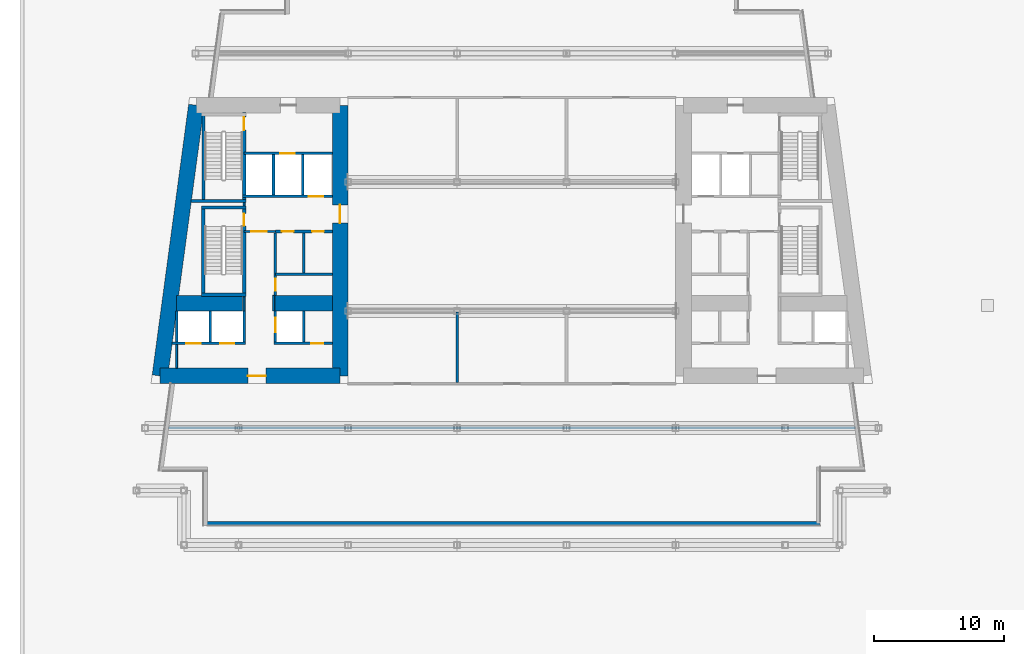
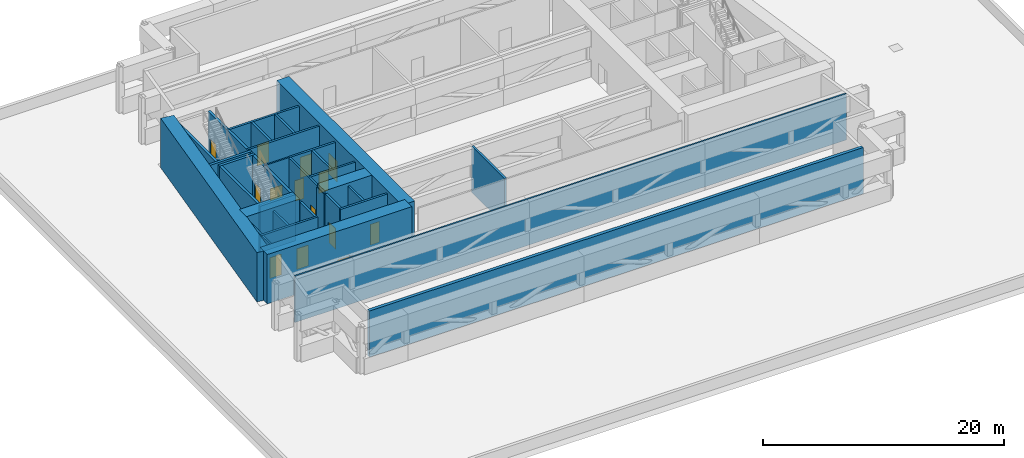
# One storey, part 14 of 26: 35 walls, 14 doors, 14 openings.
"""IFC4 building model written with IfcOpenShell, lengths in metres."""

from ifc_helpers import new_model, si_unit, direction, frame, frame_2d, origin, place, context, subcontext, project, spatial, rectangle, extrude, material, layer, layer_set, type_object, element, fill, save


model = new_model("IFC4")

# Units and contexts
model_context = context("Model", 3, precision=1e-05, world=origin(), true_north=direction((0.0, 1.0)))
body_context = subcontext(model_context, "Body", "Model", "MODEL_VIEW")
ifc_project = project(units=[si_unit("LENGTHUNIT", "METRE"), si_unit("AREAUNIT", "SQUARE_METRE"), si_unit("VOLUMEUNIT", "CUBIC_METRE"), si_unit("PLANEANGLEUNIT", "RADIAN"), si_unit("MASSUNIT", "GRAM", prefix="KILO")], contexts=[model_context])

# Site, building, storey
site_placement = place(None, origin())
site = spatial("IfcSite", under=ifc_project, at=site_placement, CompositionType="ELEMENT")
building_placement = place(site_placement, origin())
building = spatial("IfcBuilding", under=site, at=building_placement, Name="Candeia Pilgrim Tower and Theatre", CompositionType="ELEMENT")
storey_placement = place(building_placement, frame((0.0, 0.0, 34.0)))
storey = spatial("IfcBuildingStorey", under=building, at=storey_placement, Name="L05", CompositionType="ELEMENT", Elevation=34.0)

# Wall, opening, door
ifc_material_1 = material(Name="Concrete C80/95", Category="concrete")
ifc_layer_1 = layer(ifc_material_1, 1.199951171875)
ifc_layer_set_1 = layer_set([ifc_layer_1], Name="Core wall 1200 C80/95")
wall_type_1 = type_object("IfcWallType", Name="Core wall 1200 C80/95", PredefinedType="SHEAR", material=ifc_layer_set_1)
wall_1_placement = place(storey_placement, frame((100.199951171875, 131.800048828125, 0.0), z_axis=(0.0, 0.0, 1.0), x_axis=(0.0, -1.0, 0.0)))
wall_1 = element("IfcWall", 1, at=wall_1_placement, inside=storey, type_object=wall_type_1, Name="Core wall W2", PredefinedType="SHEAR", context=body_context, shape_type="SweptSolid", body=[
    extrude(rectangle(XDim=20.800048828125, YDim=1.199951171875, at=frame_2d((10.39990234375, 0.0))), origin(), (0.0, 0.0, 1.0), 5.0),
])
opening_1_placement = place(wall_1_placement, frame((7.64990234375, 0.0, 0.0)))
opening_1 = element("IfcOpeningElement", 2, at=opening_1_placement, cuts=wall_1, Name="Opening L05-D025", PredefinedType="OPENING", context=body_context, shape_type="SweptSolid", body=[
    extrude(rectangle(XDim=1.39990234375, YDim=2.10009765625, at=frame_2d((0.699951171875, 1.050048828125))), frame((0.0, 0.60986328125, 0.0), z_axis=(0.0, -1.0, 0.0), x_axis=(1.0, 0.0, 0.0)), (0.0, 0.0, 1.0), 1.219970703125),
])
ifc_material_2 = material(Name="Steel fire door set", Category="steel")
door_type_1 = type_object("IfcDoorType", Name="D-1400-FD60", OperationType="NOTDEFINED", PredefinedType="DOOR", material=ifc_material_2)
door_1_placement = place(opening_1_placement, origin())
door_1 = element("IfcDoor", 3, at=door_1_placement, inside=storey, type_object=door_type_1, Name="Door L05-D025", OperationType="SINGLE_SWING_RIGHT", OverallHeight=2.10009765625, OverallWidth=1.39990234375, PredefinedType="DOOR", context=body_context, shape_type="SweptSolid", body=[
    extrude(rectangle(XDim=1.39990234375, YDim=2.10009765625, at=frame_2d((0.699951171875, 1.050048828125))), frame((0.0, 0.02490234375, 0.0), z_axis=(0.0, -1.0, 0.0), x_axis=(1.0, 0.0, 0.0)), (0.0, 0.0, 1.0), 0.050048828125),
])
fill(opening_1, door_1)

wall_2_placement = place(storey_placement, frame((100.199951171875, 111.0, 0.0), z_axis=(0.0, 0.0, 1.0), x_axis=(-1.0, 0.0, 0.0)))
wall_2 = element("IfcWall", 4, at=wall_2_placement, inside=storey, type_object=wall_type_1, Name="Core wall W3", PredefinedType="SHEAR", context=body_context, shape_type="SweptSolid", body=[
    extrude(rectangle(XDim=13.844482421875, YDim=1.199951171875, at=frame_2d((6.92236328125, 0.0))), origin(), (0.0, 0.0, 1.0), 5.0),
])
opening_2_placement = place(wall_2_placement, frame((5.693603515625, 0.0, 0.0)))
opening_2 = element("IfcOpeningElement", 5, at=opening_2_placement, cuts=wall_2, Name="Opening L05-D023", PredefinedType="OPENING", context=body_context, shape_type="SweptSolid", body=[
    extrude(rectangle(XDim=1.39990234375, YDim=2.10009765625, at=frame_2d((0.699951171875, 1.050048828125))), frame((0.0, 0.60986328125, 0.0), z_axis=(0.0, -1.0, 0.0), x_axis=(1.0, 0.0, 0.0)), (0.0, 0.0, 1.0), 1.219970703125),
])
door_2_placement = place(opening_2_placement, origin())
door_2 = element("IfcDoor", 6, at=door_2_placement, inside=storey, type_object=door_type_1, Name="Door L05-D023", OperationType="SINGLE_SWING_RIGHT", OverallHeight=2.10009765625, OverallWidth=1.39990234375, PredefinedType="DOOR", context=body_context, shape_type="SweptSolid", body=[
    extrude(rectangle(XDim=1.39990234375, YDim=2.10009765625, at=frame_2d((0.699951171875, 1.050048828125))), frame((0.0, 0.02490234375, 0.0), z_axis=(0.0, -1.0, 0.0), x_axis=(1.0, 0.0, 0.0)), (0.0, 0.0, 1.0), 0.050048828125),
])
fill(opening_2, door_2)

# Walls
wall_3_placement = place(storey_placement, frame((86.35546875, 111.0, 0.0), z_axis=(0.0, 0.0, 1.0), x_axis=(0.133413989637, 0.99106039542, 0.0)))
element("IfcWall", 7, at=wall_3_placement, inside=storey, type_object=wall_type_1, Name="Core wall W4", PredefinedType="SHEAR", context=body_context, shape_type="SweptSolid", body=[
    extrude(rectangle(XDim=20.987548828125, YDim=1.199951171875, at=frame_2d((10.49365234375, 0.0))), origin(), (0.0, 0.0, 1.0), 5.0),
])
wall_4_placement = place(storey_placement, frame((87.623046875, 116.60009765625, 0.0), z_axis=(0.0, 0.0, 1.0), x_axis=(1.0, 0.0, 0.0)))
element("IfcWall", 8, at=wall_4_placement, inside=storey, type_object=wall_type_1, Name="Core wall W5", PredefinedType="SHEAR", context=body_context, shape_type="SweptSolid", body=[
    extrude(rectangle(XDim=5.076904296875, YDim=1.199951171875, at=frame_2d((2.53857421875, 0.0))), origin(), (0.0, 0.0, 1.0), 5.0),
])
wall_5_placement = place(storey_placement, frame((95.10009765625, 116.60009765625, 0.0), z_axis=(0.0, 0.0, 1.0), x_axis=(1.0, 0.0, 0.0)))
element("IfcWall", 9, at=wall_5_placement, inside=storey, type_object=wall_type_1, Name="Core wall W6", PredefinedType="SHEAR", context=body_context, shape_type="SweptSolid", body=[
    extrude(rectangle(XDim=4.5, YDim=1.199951171875, at=frame_2d((2.25, 0.0))), origin(), (0.0, 0.0, 1.0), 5.0),
])
ifc_material_3 = material(Name="Ceramic block masonry", Category="masonry")
ifc_layer_2 = layer(ifc_material_3, 0.300048828125)
ifc_layer_set_2 = layer_set([ifc_layer_2], Name="EW1 glazing-line wall 300")
wall_type_2 = type_object("IfcWallType", Name="EW1 glazing-line wall 300", PredefinedType="SOLIDWALL", material=ifc_layer_set_2)
wall_6_placement = place(storey_placement, frame((89.85009765625, 99.64990234375, 0.0), z_axis=(0.0, 0.0, 1.0), x_axis=(1.0, 0.0, 0.0)))
element("IfcWall", 10, at=wall_6_placement, inside=storey, type_object=wall_type_2, Name="External wall L05-0.0", PredefinedType="SOLIDWALL", context=body_context, shape_type="SweptSolid", body=[
    extrude(rectangle(XDim=47.25, YDim=0.300048828125, at=frame_2d((23.625, 0.0))), origin(), (0.0, 0.0, 1.0), 4.679931640625),
])

# Wall, opening, door
ifc_material_4 = material(Name="Gypsum board partition on steel studs", Category="steel")
ifc_layer_3 = layer(ifc_material_4, 0.14990234375)
ifc_layer_set_3 = layer_set([ifc_layer_3], Name="PW-150 lobby wall")
wall_type_3 = type_object("IfcWallType", Name="PW-150 lobby wall", PredefinedType="PARTITIONING", material=ifc_layer_set_3)
wall_7_placement = place(storey_placement, frame((92.826904296875, 122.10009765625, 0.0), z_axis=(0.0, 0.0, 1.0), x_axis=(1.0, 0.0, 0.0)))
wall_7 = element("IfcWall", 11, at=wall_7_placement, inside=storey, type_object=wall_type_3, Name="Lobby wall L05-014", PredefinedType="PARTITIONING", context=body_context, shape_type="SweptSolid", body=[
    extrude(rectangle(XDim=2.400146484375, YDim=0.14990234375, at=frame_2d((1.2001953125, 0.0))), origin(), (0.0, 0.0, 1.0), 4.679931640625),
])
opening_3_placement = place(wall_7_placement, frame((0.550048828125, 0.0, 0.0)))
opening_3 = element("IfcOpeningElement", 12, at=opening_3_placement, cuts=wall_7, Name="Opening L05-D007", PredefinedType="OPENING", context=body_context, shape_type="SweptSolid", body=[
    extrude(rectangle(XDim=1.199951171875, YDim=2.10009765625, at=frame_2d((0.60009765625, 1.050048828125))), frame((0.0, 0.0849609375, 0.0), z_axis=(0.0, -1.0, 0.0), x_axis=(1.0, 0.0, 0.0)), (0.0, 0.0, 1.0), 0.169921875),
])
door_type_2 = type_object("IfcDoorType", Name="D-1200-FD60", OperationType="NOTDEFINED", PredefinedType="DOOR", material=ifc_material_2)
door_3_placement = place(opening_3_placement, origin())
door_3 = element("IfcDoor", 13, at=door_3_placement, inside=storey, type_object=door_type_2, Name="Door L05-D007", OperationType="SINGLE_SWING_RIGHT", OverallHeight=2.10009765625, OverallWidth=1.199951171875, PredefinedType="DOOR", context=body_context, shape_type="SweptSolid", body=[
    extrude(rectangle(XDim=1.199951171875, YDim=2.10009765625, at=frame_2d((0.60009765625, 1.050048828125))), frame((0.0, 0.02490234375, 0.0), z_axis=(0.0, -1.0, 0.0), x_axis=(1.0, 0.0, 0.0)), (0.0, 0.0, 1.0), 0.050048828125),
])
fill(opening_3, door_3)

# Walls
wall_8_placement = place(storey_placement, frame((87.631103515625, 111.60009765625, 0.0), z_axis=(0.0, 0.0, 1.0), x_axis=(0.0, 1.0, 0.0)))
element("IfcWall", 14, at=wall_8_placement, inside=storey, type_object=wall_type_3, Name="Lobby wall L05-032", PredefinedType="PARTITIONING", context=body_context, shape_type="SweptSolid", body=[
    extrude(rectangle(XDim=1.7998046875, YDim=0.14990234375, at=frame_2d((0.89990234375, 0.0))), origin(), (0.0, 0.0, 1.0), 4.679931640625),
])
wall_9_placement = place(storey_placement, frame((92.826904296875, 116.0, 0.0), z_axis=(0.0, 0.0, 1.0), x_axis=(0.0, 1.0, 0.0)))
element("IfcWall", 15, at=wall_9_placement, inside=storey, type_object=wall_type_3, Name="Lobby wall L05-037", PredefinedType="PARTITIONING", context=body_context, shape_type="SweptSolid", body=[
    extrude(rectangle(XDim=1.074951171875, YDim=0.14990234375, at=frame_2d((0.53759765625, 0.0))), origin(), (0.0, 0.0, 1.0), 4.679931640625),
])
wall_10_placement = place(storey_placement, frame((92.826904296875, 124.074951171875, 0.0), z_axis=(0.0, 0.0, 1.0), x_axis=(0.0, 1.0, 0.0)))
element("IfcWall", 16, at=wall_10_placement, inside=storey, type_object=wall_type_3, Name="Lobby wall L05-038", PredefinedType="PARTITIONING", context=body_context, shape_type="SweptSolid", body=[
    extrude(rectangle(XDim=0.25, YDim=0.14990234375, at=frame_2d((0.125, 0.0))), origin(), (0.0, 0.0, 1.0), 4.679931640625),
])
wall_11_placement = place(storey_placement, frame((95.10009765625, 116.0, 0.0), z_axis=(0.0, 0.0, 1.0), x_axis=(0.0, 1.0, 0.0)))
element("IfcWall", 17, at=wall_11_placement, inside=storey, type_object=wall_type_3, Name="Lobby wall L05-042", PredefinedType="PARTITIONING", context=body_context, shape_type="SweptSolid", body=[
    extrude(rectangle(XDim=1.199951171875, YDim=0.14990234375, at=frame_2d((0.60009765625, 0.0))), origin(), (0.0, 0.0, 1.0), 4.679931640625),
])
ifc_layer_4 = layer(ifc_material_4, 0.14990234375)
ifc_layer_set_4 = layer_set([ifc_layer_4], Name="PW-150 unit wall")
wall_type_4 = type_object("IfcWallType", Name="PW-150 unit wall", PredefinedType="PARTITIONING", material=ifc_layer_set_4)
wall_12_placement = place(storey_placement, frame((87.017578125, 107.0, 0.0), z_axis=(0.0, 0.0, 1.0), x_axis=(1.0, 0.0, 0.0)))
element("IfcWall", 18, at=wall_12_placement, inside=storey, type_object=wall_type_4, Name="Unit wall L05-001", PredefinedType="PARTITIONING", context=body_context, shape_type="SweptSolid", body=[
    extrude(rectangle(XDim=52.7646484375, YDim=0.14990234375, at=frame_2d((26.38232421875, 0.0))), origin(), (0.0, 0.0, 1.0), 4.679931640625),
])
ifc_layer_5 = layer(ifc_material_4, 0.199951171875)
ifc_layer_set_5 = layer_set([ifc_layer_5], Name="PW-200 party wall")
wall_type_5 = type_object("IfcWallType", Name="PW-200 party wall", PredefinedType="PARTITIONING", material=ifc_layer_set_5)
wall_13_placement = place(storey_placement, frame((109.199951171875, 110.47509765625, 0.0), z_axis=(0.0, 0.0, 1.0), x_axis=(0.0, 1.0, 0.0)))
element("IfcWall", 19, at=wall_13_placement, inside=storey, type_object=wall_type_5, Name="Party wall L05-048", PredefinedType="PARTITIONING", context=body_context, shape_type="SweptSolid", body=[
    extrude(rectangle(XDim=5.4248046875, YDim=0.199951171875, at=frame_2d((2.71240234375, 0.0))), origin(), (0.0, 0.0, 1.0), 4.679931640625),
])

# Wall, openings, doors
ifc_material_5 = material(Name="Concrete C40/50", Category="concrete")
ifc_layer_6 = layer(ifc_material_5, 0.199951171875)
ifc_layer_set_6 = layer_set([ifc_layer_6], Name="SW-200 shaft wall")
wall_type_6 = type_object("IfcWallType", Name="SW-200 shaft wall", PredefinedType="PARTITIONING", material=ifc_layer_set_6)
wall_14_placement = place(storey_placement, frame((87.267333984375, 113.5, 0.0), z_axis=(0.0, 0.0, 1.0), x_axis=(1.0, 0.0, 0.0)))
wall_14 = element("IfcWall", 20, at=wall_14_placement, inside=storey, type_object=wall_type_6, Name="Shaft wall L05-003", PredefinedType="PARTITIONING", context=body_context, shape_type="SweptSolid", body=[
    extrude(rectangle(XDim=5.65966796875, YDim=0.199951171875, at=frame_2d((2.829833984375, 0.0))), origin(), (0.0, 0.0, 1.0), 4.679931640625),
])
opening_4_placement = place(wall_14_placement, frame((1.112548828125, 0.0, 0.0)))
opening_4 = element("IfcOpeningElement", 21, at=opening_4_placement, cuts=wall_14, Name="Opening L05-LD03", PredefinedType="OPENING", context=body_context, shape_type="SweptSolid", body=[
    extrude(rectangle(XDim=1.10009765625, YDim=2.10009765625, at=frame_2d((0.550048828125, 1.050048828125))), frame((0.0, 0.10986328125, 0.0), z_axis=(0.0, -1.0, 0.0), x_axis=(1.0, 0.0, 0.0)), (0.0, 0.0, 1.0), 0.219970703125),
])
opening_5_placement = place(wall_14_placement, frame((3.710693359375, 0.0, 0.0)))
opening_5 = element("IfcOpeningElement", 22, at=opening_5_placement, cuts=wall_14, Name="Opening L05-LD04", PredefinedType="OPENING", context=body_context, shape_type="SweptSolid", body=[
    extrude(rectangle(XDim=1.10009765625, YDim=2.10009765625, at=frame_2d((0.550048828125, 1.050048828125))), frame((0.0, 0.10986328125, 0.0), z_axis=(0.0, -1.0, 0.0), x_axis=(1.0, 0.0, 0.0)), (0.0, 0.0, 1.0), 0.219970703125),
])
ifc_material_6 = material(Name="Glazed aluminium landing door", Category="aluminium")
door_type_3 = type_object("IfcDoorType", Name="LD-1100-EI120", OperationType="SLIDING_TO_LEFT", PredefinedType="DOOR", material=ifc_material_6)
door_4_placement = place(opening_4_placement, origin())
door_4 = element("IfcDoor", 23, at=door_4_placement, inside=storey, type_object=door_type_3, Name="Landing door 03 L05", OperationType="SLIDING_TO_LEFT", OverallHeight=2.10009765625, OverallWidth=1.10009765625, PredefinedType="DOOR", context=body_context, shape_type="SweptSolid", body=[
    extrude(rectangle(XDim=1.10009765625, YDim=2.10009765625, at=frame_2d((0.550048828125, 1.050048828125))), frame((0.0, 0.02490234375, 0.0), z_axis=(0.0, -1.0, 0.0), x_axis=(1.0, 0.0, 0.0)), (0.0, 0.0, 1.0), 0.050048828125),
])
fill(opening_4, door_4)
door_5_placement = place(opening_5_placement, origin())
door_5 = element("IfcDoor", 24, at=door_5_placement, inside=storey, type_object=door_type_3, Name="Landing door 04 L05", OperationType="SLIDING_TO_LEFT", OverallHeight=2.10009765625, OverallWidth=1.10009765625, PredefinedType="DOOR", context=body_context, shape_type="SweptSolid", body=[
    extrude(rectangle(XDim=1.10009765625, YDim=2.10009765625, at=frame_2d((0.550048828125, 1.050048828125))), frame((0.0, 0.02490234375, 0.0), z_axis=(0.0, -1.0, 0.0), x_axis=(1.0, 0.0, 0.0)), (0.0, 0.0, 1.0), 0.050048828125),
])
fill(opening_5, door_5)

# Wall, opening, door
wall_15_placement = place(storey_placement, frame((95.126953125, 113.5, 0.0), z_axis=(0.0, 0.0, 1.0), x_axis=(1.0, 0.0, 0.0)))
wall_15 = element("IfcWall", 25, at=wall_15_placement, inside=storey, type_object=wall_type_6, Name="Shaft wall L05-004", PredefinedType="PARTITIONING", context=body_context, shape_type="SweptSolid", body=[
    extrude(rectangle(XDim=4.47314453125, YDim=0.199951171875, at=frame_2d((2.236572265625, 0.0))), origin(), (0.0, 0.0, 1.0), 4.679931640625),
])
opening_6_placement = place(wall_15_placement, frame((2.87109375, 0.0, 0.0)))
opening_6 = element("IfcOpeningElement", 26, at=opening_6_placement, cuts=wall_15, Name="Opening L05-D013", PredefinedType="OPENING", context=body_context, shape_type="SweptSolid", body=[
    extrude(rectangle(XDim=0.89990234375, YDim=2.10009765625, at=frame_2d((0.449951171875, 1.050048828125))), frame((0.0, 0.10986328125, 0.0), z_axis=(0.0, -1.0, 0.0), x_axis=(1.0, 0.0, 0.0)), (0.0, 0.0, 1.0), 0.219970703125),
])
door_type_4 = type_object("IfcDoorType", Name="D-900-FD60", OperationType="NOTDEFINED", PredefinedType="DOOR", material=ifc_material_2)
door_6_placement = place(opening_6_placement, origin())
door_6 = element("IfcDoor", 27, at=door_6_placement, inside=storey, type_object=door_type_4, Name="Door L05-D013", OperationType="SINGLE_SWING_LEFT", OverallHeight=2.10009765625, OverallWidth=0.89990234375, PredefinedType="DOOR", context=body_context, shape_type="SweptSolid", body=[
    extrude(rectangle(XDim=0.89990234375, YDim=2.10009765625, at=frame_2d((0.449951171875, 1.050048828125))), frame((0.0, 0.02490234375, 0.0), z_axis=(0.0, -1.0, 0.0), x_axis=(1.0, 0.0, 0.0)), (0.0, 0.0, 1.0), 0.050048828125),
])
fill(opening_6, door_6)

# Wall
wall_16_placement = place(storey_placement, frame((95.22705078125, 118.800048828125, 0.0), z_axis=(0.0, 0.0, 1.0), x_axis=(1.0, 0.0, 0.0)))
element("IfcWall", 28, at=wall_16_placement, inside=storey, type_object=wall_type_6, Name="Shaft wall L05-010", PredefinedType="PARTITIONING", context=body_context, shape_type="SweptSolid", body=[
    extrude(rectangle(XDim=4.373046875, YDim=0.199951171875, at=frame_2d((2.1865234375, 0.0))), origin(), (0.0, 0.0, 1.0), 4.679931640625),
])

# Wall, openings, doors
wall_17_placement = place(storey_placement, frame((95.22705078125, 122.10009765625, 0.0), z_axis=(0.0, 0.0, 1.0), x_axis=(1.0, 0.0, 0.0)))
wall_17 = element("IfcWall", 29, at=wall_17_placement, inside=storey, type_object=wall_type_6, Name="Shaft wall L05-012", PredefinedType="PARTITIONING", context=body_context, shape_type="SweptSolid", body=[
    extrude(rectangle(XDim=4.373046875, YDim=0.199951171875, at=frame_2d((2.1865234375, 0.0))), origin(), (0.0, 0.0, 1.0), 4.679931640625),
])
opening_7_placement = place(wall_17_placement, frame((0.4970703125, 0.0, 0.0)))
opening_7 = element("IfcOpeningElement", 30, at=opening_7_placement, cuts=wall_17, Name="Opening L05-D008", PredefinedType="OPENING", context=body_context, shape_type="SweptSolid", body=[
    extrude(rectangle(XDim=0.89990234375, YDim=2.10009765625, at=frame_2d((0.449951171875, 1.050048828125))), frame((0.0, 0.10986328125, 0.0), z_axis=(0.0, -1.0, 0.0), x_axis=(1.0, 0.0, 0.0)), (0.0, 0.0, 1.0), 0.219970703125),
])
opening_8_placement = place(wall_17_placement, frame((2.830078125, 0.0, 0.0)))
opening_8 = element("IfcOpeningElement", 31, at=opening_8_placement, cuts=wall_17, Name="Opening L05-D009", PredefinedType="OPENING", context=body_context, shape_type="SweptSolid", body=[
    extrude(rectangle(XDim=0.89990234375, YDim=2.10009765625, at=frame_2d((0.449951171875, 1.050048828125))), frame((0.0, 0.10986328125, 0.0), z_axis=(0.0, -1.0, 0.0), x_axis=(1.0, 0.0, 0.0)), (0.0, 0.0, 1.0), 0.219970703125),
])
door_7_placement = place(opening_7_placement, origin())
door_7 = element("IfcDoor", 32, at=door_7_placement, inside=storey, type_object=door_type_4, Name="Door L05-D008", OperationType="SINGLE_SWING_LEFT", OverallHeight=2.10009765625, OverallWidth=0.89990234375, PredefinedType="DOOR", context=body_context, shape_type="SweptSolid", body=[
    extrude(rectangle(XDim=0.89990234375, YDim=2.10009765625, at=frame_2d((0.449951171875, 1.050048828125))), frame((0.0, 0.02490234375, 0.0), z_axis=(0.0, -1.0, 0.0), x_axis=(1.0, 0.0, 0.0)), (0.0, 0.0, 1.0), 0.050048828125),
])
fill(opening_7, door_7)
door_8_placement = place(opening_8_placement, origin())
door_8 = element("IfcDoor", 33, at=door_8_placement, inside=storey, type_object=door_type_4, Name="Door L05-D009", OperationType="SINGLE_SWING_RIGHT", OverallHeight=2.10009765625, OverallWidth=0.89990234375, PredefinedType="DOOR", context=body_context, shape_type="SweptSolid", body=[
    extrude(rectangle(XDim=0.89990234375, YDim=2.10009765625, at=frame_2d((0.449951171875, 1.050048828125))), frame((0.0, 0.02490234375, 0.0), z_axis=(0.0, -1.0, 0.0), x_axis=(1.0, 0.0, 0.0)), (0.0, 0.0, 1.0), 0.050048828125),
])
fill(opening_8, door_8)

# Wall, opening, door
wall_18_placement = place(storey_placement, frame((92.701904296875, 124.800048828125, 0.0), z_axis=(0.0, 0.0, 1.0), x_axis=(1.0, 0.0, 0.0)))
wall_18 = element("IfcWall", 34, at=wall_18_placement, inside=storey, type_object=wall_type_6, Name="Shaft wall L05-020", PredefinedType="PARTITIONING", context=body_context, shape_type="SweptSolid", body=[
    extrude(rectangle(XDim=6.898193359375, YDim=0.199951171875, at=frame_2d((3.44921875, 0.0))), origin(), (0.0, 0.0, 1.0), 4.679931640625),
])
opening_9_placement = place(wall_18_placement, frame((5.10498046875, 0.0, 0.0)))
opening_9 = element("IfcOpeningElement", 35, at=opening_9_placement, cuts=wall_18, Name="Opening L05-LD02", PredefinedType="OPENING", context=body_context, shape_type="SweptSolid", body=[
    extrude(rectangle(XDim=1.10009765625, YDim=2.10009765625, at=frame_2d((0.550048828125, 1.050048828125))), frame((0.0, 0.10986328125, 0.0), z_axis=(0.0, -1.0, 0.0), x_axis=(1.0, 0.0, 0.0)), (0.0, 0.0, 1.0), 0.219970703125),
])
door_9_placement = place(opening_9_placement, origin())
door_9 = element("IfcDoor", 36, at=door_9_placement, inside=storey, type_object=door_type_3, Name="Landing door 02 L05", OperationType="SLIDING_TO_LEFT", OverallHeight=2.10009765625, OverallWidth=1.10009765625, PredefinedType="DOOR", context=body_context, shape_type="SweptSolid", body=[
    extrude(rectangle(XDim=1.10009765625, YDim=2.10009765625, at=frame_2d((0.550048828125, 1.050048828125))), frame((0.0, 0.02490234375, 0.0), z_axis=(0.0, -1.0, 0.0), x_axis=(1.0, 0.0, 0.0)), (0.0, 0.0, 1.0), 0.050048828125),
])
fill(opening_9, door_9)

wall_19_placement = place(storey_placement, frame((92.826904296875, 128.10009765625, 0.0), z_axis=(0.0, 0.0, 1.0), x_axis=(1.0, 0.0, 0.0)))
wall_19 = element("IfcWall", 37, at=wall_19_placement, inside=storey, type_object=wall_type_6, Name="Shaft wall L05-024", PredefinedType="PARTITIONING", context=body_context, shape_type="SweptSolid", body=[
    extrude(rectangle(XDim=6.773193359375, YDim=0.199951171875, at=frame_2d((3.38671875, 0.0))), origin(), (0.0, 0.0, 1.0), 4.679931640625),
])
opening_10_placement = place(wall_19_placement, frame((2.791015625, 0.0, 0.0)))
opening_10 = element("IfcOpeningElement", 38, at=opening_10_placement, cuts=wall_19, Name="Opening L05-LD01", PredefinedType="OPENING", context=body_context, shape_type="SweptSolid", body=[
    extrude(rectangle(XDim=1.10009765625, YDim=2.10009765625, at=frame_2d((0.550048828125, 1.050048828125))), frame((0.0, 0.10986328125, 0.0), z_axis=(0.0, -1.0, 0.0), x_axis=(1.0, 0.0, 0.0)), (0.0, 0.0, 1.0), 0.219970703125),
])
door_10_placement = place(opening_10_placement, origin())
door_10 = element("IfcDoor", 39, at=door_10_placement, inside=storey, type_object=door_type_3, Name="Landing door 01 L05", OperationType="SLIDING_TO_LEFT", OverallHeight=2.10009765625, OverallWidth=1.10009765625, PredefinedType="DOOR", context=body_context, shape_type="SweptSolid", body=[
    extrude(rectangle(XDim=1.10009765625, YDim=2.10009765625, at=frame_2d((0.550048828125, 1.050048828125))), frame((0.0, 0.02490234375, 0.0), z_axis=(0.0, -1.0, 0.0), x_axis=(1.0, 0.0, 0.0)), (0.0, 0.0, 1.0), 0.050048828125),
])
fill(opening_10, door_10)

# Walls
for number, where, z_axis, x_axis, name in (
    (40, (87.653076171875, 113.60009765625, 0.0), (0.0, 0.0, 1.0), (0.0, 1.0, 0.0), "Shaft wall L05-031"),
    (41, (90.22900390625, 113.60009765625, 0.0), (0.0, 0.0, 1.0), (0.0, 1.0, 0.0), "Shaft wall L05-035"),
    (42, (92.826904296875, 113.60009765625, 0.0), (0.0, 0.0, 1.0), (0.0, 1.0, 0.0), "Shaft wall L05-036"),
):
    element("IfcWall", number, at=place(storey_placement, frame(where, z_axis=z_axis, x_axis=x_axis)), inside=storey, type_object=wall_type_6, Name=name, PredefinedType="PARTITIONING", context=body_context, shape_type="SweptSolid", body=[
        extrude(rectangle(XDim=2.39990234375, YDim=0.199951171875, at=frame_2d((1.199951171875, 0.0))), origin(), (0.0, 0.0, 1.0), 4.679931640625),
    ])
wall_20_placement = place(storey_placement, frame((95.084716796875, 124.89990234375, 0.0), z_axis=(0.0, 0.0, 1.0), x_axis=(0.0, 1.0, 0.0)))
element("IfcWall", 43, at=wall_20_placement, inside=storey, type_object=wall_type_6, Name="Shaft wall L05-041", PredefinedType="PARTITIONING", context=body_context, shape_type="SweptSolid", body=[
    extrude(rectangle(XDim=3.10009765625, YDim=0.199951171875, at=frame_2d((1.550048828125, 0.0))), origin(), (0.0, 0.0, 1.0), 4.679931640625),
])

# Wall, opening, door
wall_21_placement = place(storey_placement, frame((95.22705078125, 113.60009765625, 0.0), z_axis=(0.0, 0.0, 1.0), x_axis=(0.0, 1.0, 0.0)))
wall_21 = element("IfcWall", 44, at=wall_21_placement, inside=storey, type_object=wall_type_6, Name="Shaft wall L05-043", PredefinedType="PARTITIONING", context=body_context, shape_type="SweptSolid", body=[
    extrude(rectangle(XDim=2.39990234375, YDim=0.199951171875, at=frame_2d((1.199951171875, 0.0))), origin(), (0.0, 0.0, 1.0), 4.679931640625),
])
opening_11_placement = place(wall_21_placement, frame((0.77490234375, 0.0, 0.0)))
opening_11 = element("IfcOpeningElement", 45, at=opening_11_placement, cuts=wall_21, Name="Opening L05-LD05", PredefinedType="OPENING", context=body_context, shape_type="SweptSolid", body=[
    extrude(rectangle(XDim=1.10009765625, YDim=2.10009765625, at=frame_2d((0.550048828125, 1.050048828125))), frame((0.0, 0.10986328125, 0.0), z_axis=(0.0, -1.0, 0.0), x_axis=(1.0, 0.0, 0.0)), (0.0, 0.0, 1.0), 0.219970703125),
])
door_11_placement = place(opening_11_placement, origin())
door_11 = element("IfcDoor", 46, at=door_11_placement, inside=storey, type_object=door_type_3, Name="Landing door 05 L05", OperationType="SLIDING_TO_LEFT", OverallHeight=2.10009765625, OverallWidth=1.10009765625, PredefinedType="DOOR", context=body_context, shape_type="SweptSolid", body=[
    extrude(rectangle(XDim=1.10009765625, YDim=2.10009765625, at=frame_2d((0.550048828125, 1.050048828125))), frame((0.0, 0.02490234375, 0.0), z_axis=(0.0, -1.0, 0.0), x_axis=(1.0, 0.0, 0.0)), (0.0, 0.0, 1.0), 0.050048828125),
])
fill(opening_11, door_11)

wall_22_placement = place(storey_placement, frame((95.22705078125, 117.199951171875, 0.0), z_axis=(0.0, 0.0, 1.0), x_axis=(0.0, 1.0, 0.0)))
wall_22 = element("IfcWall", 47, at=wall_22_placement, inside=storey, type_object=wall_type_6, Name="Shaft wall L05-044", PredefinedType="PARTITIONING", context=body_context, shape_type="SweptSolid", body=[
    extrude(rectangle(XDim=4.800048828125, YDim=0.199951171875, at=frame_2d((2.39990234375, 0.0))), origin(), (0.0, 0.0, 1.0), 4.679931640625),
])
opening_12_placement = place(wall_22_placement, frame((0.35009765625, 0.0, 0.0)))
opening_12 = element("IfcOpeningElement", 48, at=opening_12_placement, cuts=wall_22, Name="Opening L05-D012", PredefinedType="OPENING", context=body_context, shape_type="SweptSolid", body=[
    extrude(rectangle(XDim=0.89990234375, YDim=2.10009765625, at=frame_2d((0.449951171875, 1.050048828125))), frame((0.0, 0.10986328125, 0.0), z_axis=(0.0, -1.0, 0.0), x_axis=(1.0, 0.0, 0.0)), (0.0, 0.0, 1.0), 0.219970703125),
])
door_12_placement = place(opening_12_placement, origin())
door_12 = element("IfcDoor", 49, at=door_12_placement, inside=storey, type_object=door_type_4, Name="Door L05-D012", OperationType="SINGLE_SWING_LEFT", OverallHeight=2.10009765625, OverallWidth=0.89990234375, PredefinedType="DOOR", context=body_context, shape_type="SweptSolid", body=[
    extrude(rectangle(XDim=0.89990234375, YDim=2.10009765625, at=frame_2d((0.449951171875, 1.050048828125))), frame((0.0, 0.02490234375, 0.0), z_axis=(0.0, -1.0, 0.0), x_axis=(1.0, 0.0, 0.0)), (0.0, 0.0, 1.0), 0.050048828125),
])
fill(opening_12, door_12)

# Walls
wall_23_placement = place(storey_placement, frame((97.34228515625, 124.89990234375, 0.0), z_axis=(0.0, 0.0, 1.0), x_axis=(0.0, 1.0, 0.0)))
element("IfcWall", 50, at=wall_23_placement, inside=storey, type_object=wall_type_6, Name="Shaft wall L05-045", PredefinedType="PARTITIONING", context=body_context, shape_type="SweptSolid", body=[
    extrude(rectangle(XDim=3.10009765625, YDim=0.199951171875, at=frame_2d((1.550048828125, 0.0))), origin(), (0.0, 0.0, 1.0), 4.679931640625),
])
wall_24_placement = place(storey_placement, frame((97.41357421875, 113.60009765625, 0.0), z_axis=(0.0, 0.0, 1.0), x_axis=(0.0, 1.0, 0.0)))
element("IfcWall", 51, at=wall_24_placement, inside=storey, type_object=wall_type_6, Name="Shaft wall L05-046", PredefinedType="PARTITIONING", context=body_context, shape_type="SweptSolid", body=[
    extrude(rectangle(XDim=2.39990234375, YDim=0.199951171875, at=frame_2d((1.199951171875, 0.0))), origin(), (0.0, 0.0, 1.0), 4.679931640625),
])
wall_25_placement = place(storey_placement, frame((97.41357421875, 118.89990234375, 0.0), z_axis=(0.0, 0.0, 1.0), x_axis=(0.0, 1.0, 0.0)))
element("IfcWall", 52, at=wall_25_placement, inside=storey, type_object=wall_type_6, Name="Shaft wall L05-047", PredefinedType="PARTITIONING", context=body_context, shape_type="SweptSolid", body=[
    extrude(rectangle(XDim=3.10009765625, YDim=0.199951171875, at=frame_2d((1.550048828125, 0.0))), origin(), (0.0, 0.0, 1.0), 4.679931640625),
])
ifc_layer_7 = layer(ifc_material_5, 0.25)
ifc_layer_set_7 = layer_set([ifc_layer_7], Name="SW-250 stair wall")
wall_type_7 = type_object("IfcWallType", Name="SW-250 stair wall", PredefinedType="PARTITIONING", material=ifc_layer_set_7)
for number, where, z_axis, x_axis, name in (
    (53, (89.552001953125, 117.2451171875, 0.0), (0.0, 0.0, 1.0), (1.0, 0.0, 0.0), "Stair wall L05-008"),
    (54, (89.552001953125, 123.949951171875, 0.0), (0.0, 0.0, 1.0), (1.0, 0.0, 0.0), "Stair wall L05-016"),
):
    element("IfcWall", number, at=place(storey_placement, frame(where, z_axis=z_axis, x_axis=x_axis)), inside=storey, type_object=wall_type_7, Name=name, PredefinedType="PARTITIONING", context=body_context, shape_type="SweptSolid", body=[
        extrude(rectangle(XDim=3.39990234375, YDim=0.25, at=frame_2d((1.699951171875, 0.0))), origin(), (0.0, 0.0, 1.0), 4.679931640625),
    ])
wall_26_placement = place(storey_placement, frame((88.741455078125, 124.449951171875, 0.0), z_axis=(0.0, 0.0, 1.0), x_axis=(1.0, 0.0, 0.0)))
element("IfcWall", 55, at=wall_26_placement, inside=storey, type_object=wall_type_7, Name="Stair wall L05-018", PredefinedType="PARTITIONING", context=body_context, shape_type="SweptSolid", body=[
    extrude(rectangle(XDim=4.21044921875, YDim=0.25, at=frame_2d((2.105224609375, 0.0))), origin(), (0.0, 0.0, 1.0), 4.679931640625),
])
wall_27_placement = place(storey_placement, frame((89.677001953125, 117.169921875, 0.0), z_axis=(0.0, 0.0, 1.0), x_axis=(0.0, 1.0, 0.0)))
element("IfcWall", 56, at=wall_27_placement, inside=storey, type_object=wall_type_7, Name="Stair wall L05-033", PredefinedType="PARTITIONING", context=body_context, shape_type="SweptSolid", body=[
    extrude(rectangle(XDim=6.655029296875, YDim=0.25, at=frame_2d((3.32763671875, 0.0))), origin(), (0.0, 0.0, 1.0), 4.679931640625),
])
wall_28_placement = place(storey_placement, frame((89.707275390625, 124.574951171875, 0.0), z_axis=(0.0, 0.0, 1.0), x_axis=(0.0, 1.0, 0.0)))
element("IfcWall", 57, at=wall_28_placement, inside=storey, type_object=wall_type_7, Name="Stair wall L05-034", PredefinedType="PARTITIONING", context=body_context, shape_type="SweptSolid", body=[
    extrude(rectangle(XDim=6.5, YDim=0.25, at=frame_2d((3.25, 0.0))), origin(), (0.0, 0.0, 1.0), 4.679931640625),
])

# Wall, opening, door
wall_29_placement = place(storey_placement, frame((92.826904296875, 117.169921875, 0.0), z_axis=(0.0, 0.0, 1.0), x_axis=(0.0, 1.0, 0.0)))
wall_29 = element("IfcWall", 58, at=wall_29_placement, inside=storey, type_object=wall_type_7, Name="Stair wall L05-039", PredefinedType="PARTITIONING", context=body_context, shape_type="SweptSolid", body=[
    extrude(rectangle(XDim=6.655029296875, YDim=0.25, at=frame_2d((3.32763671875, 0.0))), origin(), (0.0, 0.0, 1.0), 4.679931640625),
])
opening_13_placement = place(wall_29_placement, frame((5.35498046875, 0.0, 0.0)))
opening_13 = element("IfcOpeningElement", 59, at=opening_13_placement, cuts=wall_29, Name="Opening L05-D010", PredefinedType="OPENING", context=body_context, shape_type="SweptSolid", body=[
    extrude(rectangle(XDim=0.949951171875, YDim=2.10009765625, at=frame_2d((0.47509765625, 1.050048828125))), frame((0.0, 0.135009765625, 0.0), z_axis=(0.0, -1.0, 0.0), x_axis=(1.0, 0.0, 0.0)), (0.0, 0.0, 1.0), 0.27001953125),
])
door_type_5 = type_object("IfcDoorType", Name="D-950-FD60", OperationType="NOTDEFINED", PredefinedType="DOOR", material=ifc_material_2)
door_13_placement = place(opening_13_placement, origin())
door_13 = element("IfcDoor", 60, at=door_13_placement, inside=storey, type_object=door_type_5, Name="Door L05-D010", OperationType="SINGLE_SWING_LEFT", OverallHeight=2.10009765625, OverallWidth=0.949951171875, PredefinedType="DOOR", context=body_context, shape_type="SweptSolid", body=[
    extrude(rectangle(XDim=0.949951171875, YDim=2.10009765625, at=frame_2d((0.47509765625, 1.050048828125))), frame((0.0, 0.02490234375, 0.0), z_axis=(0.0, -1.0, 0.0), x_axis=(1.0, 0.0, 0.0)), (0.0, 0.0, 1.0), 0.050048828125),
])
fill(opening_13, door_13)

wall_30_placement = place(storey_placement, frame((92.826904296875, 124.574951171875, 0.0), z_axis=(0.0, 0.0, 1.0), x_axis=(0.0, 1.0, 0.0)))
wall_30 = element("IfcWall", 61, at=wall_30_placement, inside=storey, type_object=wall_type_7, Name="Stair wall L05-040", PredefinedType="PARTITIONING", context=body_context, shape_type="SweptSolid", body=[
    extrude(rectangle(XDim=6.655029296875, YDim=0.25, at=frame_2d((3.32763671875, 0.0))), origin(), (0.0, 0.0, 1.0), 4.679931640625),
])
opening_14_placement = place(wall_30_placement, frame((5.324951171875, 0.0, 0.0)))
opening_14 = element("IfcOpeningElement", 62, at=opening_14_placement, cuts=wall_30, Name="Opening L05-D011", PredefinedType="OPENING", context=body_context, shape_type="SweptSolid", body=[
    extrude(rectangle(XDim=1.0, YDim=2.10009765625, at=frame_2d((0.5, 1.050048828125))), frame((0.0, 0.135009765625, 0.0), z_axis=(0.0, -1.0, 0.0), x_axis=(1.0, 0.0, 0.0)), (0.0, 0.0, 1.0), 0.27001953125),
])
door_type_6 = type_object("IfcDoorType", Name="D-1000-FD60", OperationType="NOTDEFINED", PredefinedType="DOOR", material=ifc_material_2)
door_14_placement = place(opening_14_placement, origin())
door_14 = element("IfcDoor", 63, at=door_14_placement, inside=storey, type_object=door_type_6, Name="Door L05-D011", OperationType="SINGLE_SWING_RIGHT", OverallHeight=2.10009765625, OverallWidth=1.0, PredefinedType="DOOR", context=body_context, shape_type="SweptSolid", body=[
    extrude(rectangle(XDim=1.0, YDim=2.10009765625, at=frame_2d((0.5, 1.050048828125))), frame((0.0, 0.02490234375, 0.0), z_axis=(0.0, -1.0, 0.0), x_axis=(1.0, 0.0, 0.0)), (0.0, 0.0, 1.0), 0.050048828125),
])
fill(opening_14, door_14)

save(model, "model.ifc")
